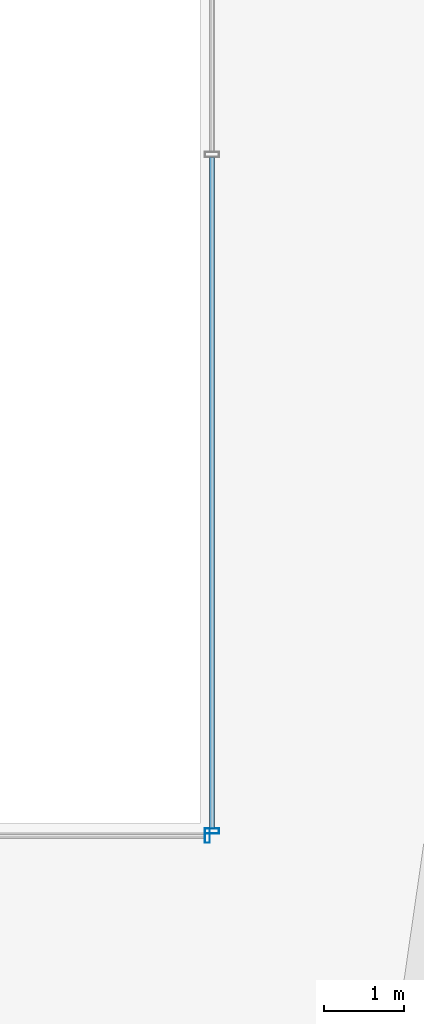
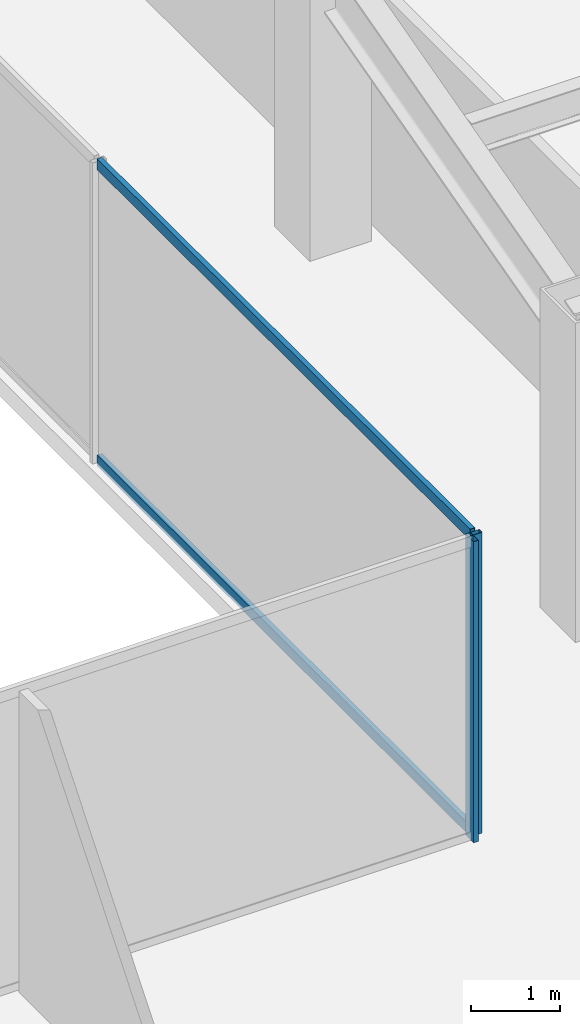
# One storey, part 18 of 49: 4 members, 2 elements without a shape of their own.
"""IFC4 building model written with IfcOpenShell, lengths in metres."""

from ifc_helpers import new_model, si_unit, direction, frame, origin, origin_2d, place, context, subcontext, project, spatial, hollow_rectangle, extrude, material, material_profile, profile_set, type_object, element, aggregate, save


model = new_model("IFC4")

# Units and contexts
model_context = context("Model", 3, precision=1e-05, world=origin(), true_north=direction((0.0, 1.0)))
body_context = subcontext(model_context, "Body", "Model", "MODEL_VIEW")
ifc_project = project(units=[si_unit("LENGTHUNIT", "METRE"), si_unit("AREAUNIT", "SQUARE_METRE"), si_unit("VOLUMEUNIT", "CUBIC_METRE"), si_unit("PLANEANGLEUNIT", "RADIAN"), si_unit("MASSUNIT", "GRAM", prefix="KILO")], contexts=[model_context])

# Site, building, storey
site_placement = place(None, origin())
site = spatial("IfcSite", under=ifc_project, at=site_placement, CompositionType="ELEMENT")
building_placement = place(site_placement, origin())
building = spatial("IfcBuilding", under=site, at=building_placement, Name="Saevonmaru Cultural Tower", CompositionType="ELEMENT")
storey_placement = place(building_placement, frame((0.0, 0.0, 73.60009765625)))
storey = spatial("IfcBuildingStorey", under=building, at=storey_placement, Name="L15", CompositionType="ELEMENT", Elevation=73.60009765625)

# Curtain wall, member
ifc_material = material(Name="Satin Bronze Anodised Aluminium", Category="aluminium")
curtain_wall_type = type_object("IfcCurtainWallType", Name="CW-ATR-GLZ", PredefinedType="NOTDEFINED", material=ifc_material)
curtain_wall_1_placement = place(storey_placement, origin())
curtain_wall_1 = element("IfcCurtainWall", 1, at=curtain_wall_1_placement, inside=storey, type_object=curtain_wall_type, Name="L15 Vertical Atrium Glazed Smoke Screen 1", PredefinedType="NOTDEFINED")
ifc_material_profile_1 = material_profile(ifc_material, hollow_rectangle(XDim=0.06494140625, YDim=0.179931640625, WallThickness=0.00390625, at=origin_2d()), Name="ALU-MULL-180x65x4")
ifc_profile_set_1 = profile_set([ifc_material_profile_1], Name="Satin Bronze Anodised Aluminium")
member_type_1 = type_object("IfcMemberType", Name="ML-CW-INT-180x65", PredefinedType="MULLION", material=ifc_profile_set_1)
member_1_placement = place(storey_placement, frame((35.889892578125, 20.85009765625, 0.0), z_axis=(0.0, 0.0, 1.0), x_axis=(1.0, 0.0, 0.0)))
member_1 = element("IfcMember", 2, at=member_1_placement, type_object=member_type_1, Name="CW-ATR-L15-1 mullion 2", PredefinedType="MULLION", context=body_context, shape_type="SweptSolid", body=[
    extrude(hollow_rectangle(XDim=0.06494140625, YDim=0.179931640625, WallThickness=0.00390625, at=origin_2d()), origin(), (0.0, 0.0, 1.0), 4.14990234375),
])
aggregate(curtain_wall_1, [member_1])

# Curtain wall, members
curtain_wall_2_placement = place(storey_placement, origin())
curtain_wall_2 = element("IfcCurtainWall", 3, at=curtain_wall_2_placement, inside=storey, type_object=curtain_wall_type, Name="L15 Vertical Atrium Glazed Smoke Screen 2", PredefinedType="NOTDEFINED")
member_2_placement = place(storey_placement, frame((35.949951171875, 20.909912109375, 0.0), z_axis=(0.0, 0.0, 1.0), x_axis=(0.0, 1.0, 0.0)))
member_2 = element("IfcMember", 4, at=member_2_placement, type_object=member_type_1, Name="CW-ATR-L15-2 mullion 1", PredefinedType="MULLION", context=body_context, shape_type="SweptSolid", body=[
    extrude(hollow_rectangle(XDim=0.06494140625, YDim=0.179931640625, WallThickness=0.00390625, at=origin_2d()), origin(), (0.0, 0.0, 1.0), 4.14990234375),
])
ifc_material_profile_2 = material_profile(ifc_material, hollow_rectangle(XDim=0.06494140625, YDim=0.14990234375, WallThickness=0.00390625, at=origin_2d()), Name="ALU-TRAN-150x65x4")
ifc_profile_set_2 = profile_set([ifc_material_profile_2], Name="Satin Bronze Anodised Aluminium")
member_type_2 = type_object("IfcMemberType", Name="TR-CW-INT-150x65", PredefinedType="USERDEFINED", material=ifc_profile_set_2)
member_3_placement = place(storey_placement, frame((35.949951171875, 20.9423828125, 0.032470703125), z_axis=(0.0, 1.0, 0.0), x_axis=(-1.0, 0.0, 0.0)))
member_3 = element("IfcMember", 5, at=member_3_placement, type_object=member_type_2, Name="CW-ATR-L15-2 transom 1.1", ObjectType="TRANSOM", PredefinedType="USERDEFINED", context=body_context, shape_type="SweptSolid", body=[
    extrude(hollow_rectangle(XDim=0.06494140625, YDim=0.14990234375, WallThickness=0.00390625, at=origin_2d()), origin(), (0.0, 0.0, 1.0), 8.425048828125),
])
member_4_placement = place(storey_placement, frame((35.949951171875, 20.9423828125, 4.117431640625), z_axis=(0.0, 1.0, 0.0), x_axis=(-1.0, 0.0, 0.0)))
member_4 = element("IfcMember", 6, at=member_4_placement, type_object=member_type_2, Name="CW-ATR-L15-2 transom 1.2", ObjectType="TRANSOM", PredefinedType="USERDEFINED", context=body_context, shape_type="SweptSolid", body=[
    extrude(hollow_rectangle(XDim=0.06494140625, YDim=0.14990234375, WallThickness=0.00390625, at=origin_2d()), origin(), (0.0, 0.0, 1.0), 8.425048828125),
])
aggregate(curtain_wall_2, [member_2, member_3, member_4])

save(model, "model.ifc")
